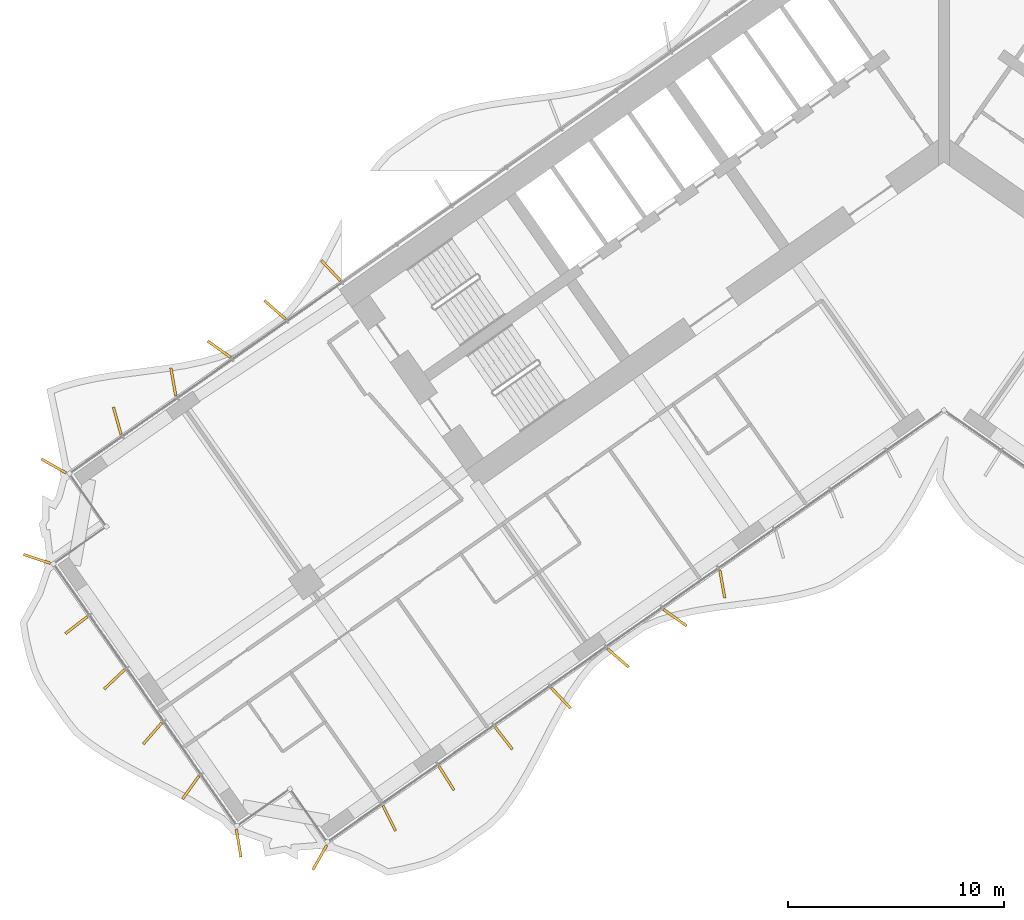
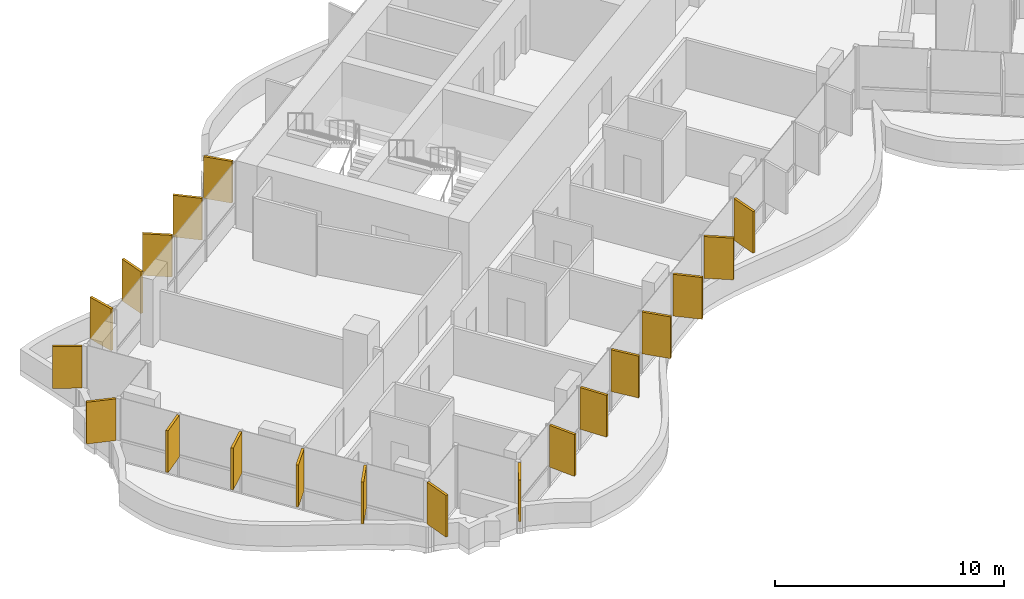
# One storey, part 18 of 23: 20 shading devices.
"""IFC4 building model written with IfcOpenShell, lengths in metres."""

from ifc_helpers import new_model, si_unit, direction, frame, origin, origin_2d, place, context, subcontext, project, spatial, rectangle, extrude, material, layer, layer_set, type_object, element, save


model = new_model("IFC4")

# Units and contexts
model_context = context("Model", 3, precision=1e-05, world=origin(), true_north=direction((0.0, 1.0)))
body_context = subcontext(model_context, "Body", "Model", "MODEL_VIEW")
ifc_project = project(units=[si_unit("LENGTHUNIT", "METRE"), si_unit("AREAUNIT", "SQUARE_METRE"), si_unit("VOLUMEUNIT", "CUBIC_METRE"), si_unit("PLANEANGLEUNIT", "RADIAN"), si_unit("MASSUNIT", "GRAM", prefix="KILO")], contexts=[model_context])

# Site, building, storey
site_placement = place(None, origin())
site = spatial("IfcSite", under=ifc_project, at=site_placement, CompositionType="ELEMENT")
building_placement = place(site_placement, origin())
building = spatial("IfcBuilding", under=site, at=building_placement, Name="Tel Ilan Convention Tower", CompositionType="ELEMENT")
storey_placement = place(building_placement, frame((0.0, 0.0, 115.699951171875)))
storey = spatial("IfcBuildingStorey", under=building, at=storey_placement, Name="L25", CompositionType="ELEMENT", Elevation=115.699951171875)

# Shading devices
ifc_material = material(Name="Aluminium, bronze anodised", Category="aluminium")
ifc_layer = layer(ifc_material, 0.1201171875)
ifc_layer_set = layer_set([ifc_layer], Name="FIN BRONZE 1300x120")
shading_device_type = type_object("IfcShadingDeviceType", Name="FIN BRONZE 1300x120", PredefinedType="USERDEFINED", material=ifc_layer_set)
for number, where, z_axis, x_axis, name in (
    (1, (-28.35693359375, -6.242431640625, 1.10009765625), (0.0, 0.0, 1.0), (-0.686241637865, 0.727373641577, 0.0), "FIN"),
    (2, (-30.940673828125, -8.0595703125, 1.10009765625), (0.0, 0.0, 1.0), (-0.753435896329, 0.657521368568, 0.0), "FIN"),
    (3, (-33.52001953125, -9.880859375, 1.10009765625), (0.0, 0.0, 1.0), (-0.813552070258, 0.581492071294, 0.0), "FIN"),
    (4, (-35.64404296875, -11.390625, 1.10009765625), (0.0, 0.0, 1.0), (-0.173648177667, 0.984807753012, 0.0), "FIN"),
    (5, (-38.2392578125, -13.185302734375, 1.10009765625), (0.0, 0.0, 1.0), (-0.268172612768, 0.963370878614, 0.0), "FIN"),
    (6, (-41.176025390625, -15.281005859375, 1.10009765625), (0.0, 0.0, 1.0), (-0.870832754082, 0.491579408049, 0.0), "FIN"),
    (7, (-41.95263671875, -19.576171875, 1.10009765625), (0.0, 0.0, 1.0), (-0.949242643575, 0.314544756146, 0.0), "FIN"),
    (8, (-40.12255859375, -22.63916015625, 1.10009765625), (0.0, 0.0, 1.0), (-0.790392669516, -0.612600545196, 0.0), "FIN"),
    (9, (-38.365478515625, -25.147705078125, 1.10009765625), (0.0, 0.0, 1.0), (-0.727373641577, -0.686241637865, 0.0), "FIN"),
    (10, (-36.60400390625, -27.652099609375, 1.10009765625), (0.0, 0.0, 1.0), (-0.657521368568, -0.753435896329, 0.0), "FIN"),
    (11, (-34.83837890625, -30.15185546875, 1.10009765625), (0.0, 0.0, 1.0), (-0.581492071294, -0.813552070258, 0.0), "FIN"),
    (12, (-32.62060546875, -32.729736328125, 1.10009765625), (0.0, 0.0, 1.0), (0.16409119891, -0.986445172547, 0.0), "FIN"),
    (13, (-28.86865234375, -33.391357421875, 1.10009765625), (0.0, 0.0, 1.0), (-0.491579408049, -0.870832754082, 0.0), "FIN"),
    (14, (-25.654296875, -31.576416015625, 1.10009765625), (0.0, 0.0, 1.0), (0.448799180206, -0.893632640321, 0.0), "FIN"),
    (15, (-23.007568359375, -29.7236328125, 1.10009765625), (0.0, 0.0, 1.0), (0.533204432798, -0.845986425922, 0.0), "FIN"),
    (16, (-20.36083984375, -27.87060546875, 1.10009765625), (0.0, 0.0, 1.0), (0.612600545196, -0.790392669516, 0.0), "FIN"),
    (17, (-17.714599609375, -26.01708984375, 1.10009765625), (0.0, 0.0, 1.0), (0.686241637865, -0.727373641577, 0.0), "FIN"),
    (18, (-15.07275390625, -24.159423828125, 1.10009765625), (0.0, 0.0, 1.0), (0.753435896329, -0.657521368568, 0.0), "FIN"),
    (19, (-12.435302734375, -22.29736328125, 1.10009765625), (0.0, 0.0, 1.0), (0.813552070258, -0.581492071294, 0.0), "FIN"),
    (20, (-10.253173828125, -20.746826171875, 1.10009765625), (0.0, 0.0, 1.0), (0.173648177667, -0.984807753012, 0.0), "FIN"),
):
    element("IfcShadingDevice", number, at=place(storey_placement, frame(where, z_axis=z_axis, x_axis=x_axis)), inside=storey, type_object=shading_device_type, Name=name, ObjectType="FIN", PredefinedType="USERDEFINED", context=body_context, shape_type="SweptSolid", body=[
        extrude(rectangle(XDim=1.300048828125, YDim=0.1201171875, at=origin_2d()), origin(), (0.0, 0.0, 1.0), 2.219970703125),
    ])

save(model, "model.ifc")
